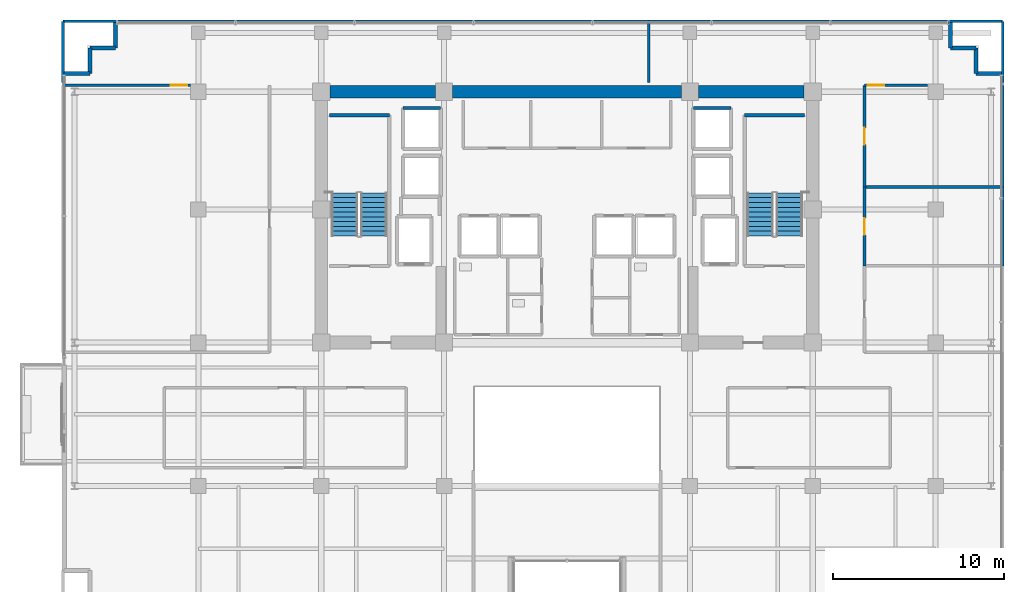
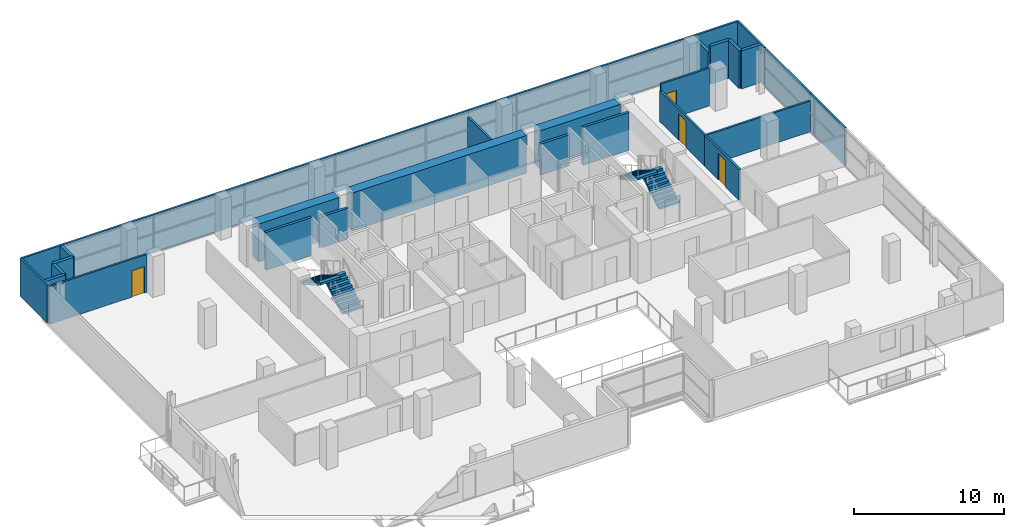
# One storey, part 23 of 27: 27 walls, 4 doors, 4 stair flights, 4 openings, 2 elements without a shape of their own.
"""IFC4 building model written with IfcOpenShell, lengths in metres."""

import ifcopenshell
import ifcopenshell.guid

model = None  # the IFC model being written
_history = None  # IfcOwnerHistory: only IFC2X3 demands one
_inside = {}  # id of a spatial element -> (the spatial element, [elements in it])
_under = {}  # id of a project, library or spatial element -> (it, [spatial elements below it])
_declared = {}  # id of a project -> (the project, [libraries it declares])
_typed = {}  # id of a type object -> (the type object, [elements of that type])
_made_of = {}  # id of a material, layer set ... -> (it, [elements and type objects made of it])


def new_model(schema):
    """Start an empty IFC model of exactly this schema.

    Asked for "IFC4X3", IfcOpenShell would pick the latest addendum, in which some entities
    have other attributes; the version numbers below select the first issue.
    IFC2X3 requires an IfcOwnerHistory on every rooted entity: one is made here for all.
    """
    global model, _history
    if schema == "IFC4X3":
        model = ifcopenshell.file(schema_version=(4, 3, 0, 0))
    else:
        model = ifcopenshell.file(schema=schema)
    _inside.clear()
    _under.clear()
    _declared.clear()
    _typed.clear()
    _made_of.clear()
    _history = None
    if model.schema == "IFC2X3":
        org = make("IfcOrganization", Name="unknown")
        user = make(
            "IfcPersonAndOrganization",
            ThePerson=make("IfcPerson", FamilyName="unknown"),
            TheOrganization=org,
        )
        app = make(
            "IfcApplication",
            ApplicationDeveloper=org,
            Version="unknown",
            ApplicationFullName="unknown",
            ApplicationIdentifier="unknown",
        )
        _history = make(
            "IfcOwnerHistory",
            OwningUser=user,
            OwningApplication=app,
            ChangeAction="ADDED",
            CreationDate=0,
        )
    return model


def make(cls, **values):
    """One entity of the class cls with the attributes given. An attribute that is None is left unset."""
    return model.create_entity(
        cls, **{name: value for name, value in values.items() if value is not None}
    )


def rooted(cls, **values):
    """An entity with a GlobalId (a new one), such as an element, a storey or a relation."""
    return make(cls, GlobalId=ifcopenshell.guid.new(), OwnerHistory=_history, **values)


def si_unit(unit_type, name, prefix=None):
    """IfcSIUnit, for example si_unit("LENGTHUNIT", "METRE", prefix="MILLI")."""
    return make("IfcSIUnit", UnitType=unit_type, Prefix=prefix, Name=name)


def assignment(units):
    """IfcUnitAssignment: the units of a project."""
    return None if units is None else make("IfcUnitAssignment", Units=units)


def point(xyz):
    """IfcCartesianPoint."""
    return None if xyz is None else make("IfcCartesianPoint", Coordinates=xyz)


def direction(xyz):
    """IfcDirection."""
    return None if xyz is None else make("IfcDirection", DirectionRatios=xyz)


def frame(location, z_axis=None, x_axis=None):
    """IfcAxis2Placement3D, a coordinate frame: its origin and axes. An axis left out is left unset."""
    return make(
        "IfcAxis2Placement3D",
        Location=point(location),
        Axis=direction(z_axis),
        RefDirection=direction(x_axis),
    )


def frame_2d(location, x_axis=None):
    """IfcAxis2Placement2D, a coordinate frame in the plane: its origin and x axis."""
    return make(
        "IfcAxis2Placement2D", Location=point(location), RefDirection=direction(x_axis)
    )


def origin():
    """The frame at (0, 0, 0) with its axes left unset."""
    return frame((0.0, 0.0, 0.0))


def place(relative_to, where):
    """IfcLocalPlacement: puts the frame where relative to a parent placement (None: the world)."""
    return make(
        "IfcLocalPlacement", PlacementRelTo=relative_to, RelativePlacement=where
    )


def context(
    kind, dimensions, precision=None, world=None, true_north=None, identifier=None
):
    """IfcGeometricRepresentationContext, for example the 3D "Model" context."""
    return make(
        "IfcGeometricRepresentationContext",
        ContextIdentifier=identifier,
        ContextType=kind,
        CoordinateSpaceDimension=dimensions,
        Precision=precision,
        WorldCoordinateSystem=world,
        TrueNorth=true_north,
    )


def subcontext(parent, identifier, kind, view, scale=None):
    """IfcGeometricRepresentationSubContext, for example "Body" below "Model"."""
    return make(
        "IfcGeometricRepresentationSubContext",
        ContextIdentifier=identifier,
        ContextType=kind,
        ParentContext=parent,
        TargetScale=scale,
        TargetView=view,
    )


def project(units=None, contexts=None):
    """IfcProject with its units and contexts."""
    return rooted(
        "IfcProject",
        Name="project",
        RepresentationContexts=contexts,
        UnitsInContext=assignment(units),
    )


def spatial(cls, under=None, at=None, **own):
    """A site, building, storey or space (cls), placed at a placement, below another one or the project."""
    s = rooted(cls, ObjectPlacement=at, **own)
    if under is not None:
        _under.setdefault(under.id(), (under, []))[1].append(s)
    return s


def polyline(points):
    """IfcPolyline through the points."""
    return make("IfcPolyline", Points=[point(p) for p in points])


def profile(cls, at=None, kind="AREA", **sizes):
    """A parametric profile (cls). Its sizes go by their IFC names, for example OverallWidth=200.0."""
    return make(cls, ProfileType=kind, Position=at, **sizes)


def rectangle(**sizes):
    """IfcRectangleProfileDef."""
    return profile("IfcRectangleProfileDef", **sizes)


def outline(outer, holes=None, kind="AREA"):
    """IfcArbitraryClosedProfileDef: a profile drawn as a closed curve; with holes, ...WithVoids."""
    if holes is None:
        return make("IfcArbitraryClosedProfileDef", ProfileType=kind, OuterCurve=outer)
    return make(
        "IfcArbitraryProfileDefWithVoids",
        ProfileType=kind,
        OuterCurve=outer,
        InnerCurves=holes,
    )


def extrude(swept, where, along, depth):
    """IfcExtrudedAreaSolid: the profile swept, set in the frame where, extruded along a direction by depth."""
    return make(
        "IfcExtrudedAreaSolid",
        SweptArea=swept,
        Position=where,
        ExtrudedDirection=direction(along),
        Depth=depth,
    )


def shape(context_of_items, identifier, shape_type, items):
    """IfcShapeRepresentation: the items that make up one representation, for example the "Body"."""
    return make(
        "IfcShapeRepresentation",
        ContextOfItems=context_of_items,
        RepresentationIdentifier=identifier,
        RepresentationType=shape_type,
        Items=items,
    )


def source(mapping_origin, context_of_items, identifier, shape_type, items):
    """IfcRepresentationMap: a shape defined once, which mapped items show again and again."""
    return make(
        "IfcRepresentationMap",
        MappingOrigin=mapping_origin,
        MappedRepresentation=shape(context_of_items, identifier, shape_type, items),
    )


def transform(
    local_origin,
    x_axis=None,
    y_axis=None,
    z_axis=None,
    scale=None,
    scale2=None,
    scale3=None,
    uniform=True,
):
    """IfcCartesianTransformationOperator3D, or its non-uniform kind. x_axis, y_axis, z_axis: its Axis1, 2, 3."""
    if uniform:
        return make(
            "IfcCartesianTransformationOperator3D",
            Axis1=direction(x_axis),
            Axis2=direction(y_axis),
            LocalOrigin=point(local_origin),
            Scale=scale,
            Axis3=direction(z_axis),
        )
    return make(
        "IfcCartesianTransformationOperator3DnonUniform",
        Axis1=direction(x_axis),
        Axis2=direction(y_axis),
        LocalOrigin=point(local_origin),
        Scale=scale,
        Axis3=direction(z_axis),
        Scale2=scale2,
        Scale3=scale3,
    )


def mapped(mapping_source, mapping_target):
    """IfcMappedItem: shows the shape of a source again, moved by a transform."""
    return make(
        "IfcMappedItem", MappingSource=mapping_source, MappingTarget=mapping_target
    )


def material(Name=None, Category=None):
    """IfcMaterial."""
    return make("IfcMaterial", Name=Name, Category=Category)


def layer(
    of_material, thickness, ventilated=None, Name=None, Category=None, Priority=None
):
    """IfcMaterialLayer: one layer of a wall or slab, of a material (None: an air gap)."""
    return make(
        "IfcMaterialLayer",
        Material=of_material,
        LayerThickness=thickness,
        IsVentilated=ventilated,
        Name=Name,
        Category=Category,
        Priority=Priority,
    )


def layer_set(layers, Name=None):
    """IfcMaterialLayerSet."""
    return make("IfcMaterialLayerSet", MaterialLayers=layers, LayerSetName=Name)


def made_of(thing, what):
    """Note that an element or type object is made of a material, layer set ...; save() writes the relation."""
    if what is not None:
        _made_of.setdefault(what.id(), (what, []))[1].append(thing)
    return thing


def type_object(cls, material=None, **own):
    """A type object (cls), such as IfcWallType, which elements share."""
    return made_of(rooted(cls, **own), material)


def element(
    cls,
    number,
    at=None,
    inside=None,
    cuts=None,
    type_object=None,
    material=None,
    context=None,
    identifier="Body",
    shape_type=None,
    held_by="IfcProductDefinitionShape",
    body=None,
    shapes=None,
    **own,
):
    """One element of the class cls, such as IfcWall. Its Tag is "e" and its number.

    at: its placement. inside: the storey or other place that contains it. cuts: it is an
    opening in that element (IfcRelVoidsElement). A single representation is given by context,
    identifier, shape_type and body (its items); several are given by shapes. held_by: the class
    of the entity that holds the representations. save() writes the other relations.
    """
    e = rooted(cls, Tag="e%d" % number, ObjectPlacement=at, **own)
    if body is not None:
        shapes = [shape(context, identifier, shape_type, body)]
    if shapes is not None:
        e.Representation = make(held_by, Representations=shapes)
    if inside is not None:
        _inside.setdefault(inside.id(), (inside, []))[1].append(e)
    if cuts is not None:
        rooted(
            "IfcRelVoidsElement", RelatingBuildingElement=cuts, RelatedOpeningElement=e
        )
    if type_object is not None:
        _typed.setdefault(type_object.id(), (type_object, []))[1].append(e)
    return made_of(e, material)


def fill(opening, filler):
    """IfcRelFillsElement: the door or window that sits in an opening."""
    return rooted(
        "IfcRelFillsElement",
        RelatingOpeningElement=opening,
        RelatedBuildingElement=filler,
    )


def aggregate(whole, parts):
    """IfcRelAggregates: a whole, such as a stair, and the parts it consists of."""
    return rooted("IfcRelAggregates", RelatingObject=whole, RelatedObjects=parts)


def save(model, path):
    """Write the relations noted so far, then the file.

    IfcRelAggregates (storeys below a building ...), IfcRelContainedInSpatialStructure (elements
    in a storey), IfcRelDefinesByType, IfcRelAssociatesMaterial and IfcRelDeclares: one each for
    every whole, place, type object, material and project.
    """
    for whole, parts in _under.values():
        aggregate(whole, parts)
    for where, things in _inside.values():
        rooted(
            "IfcRelContainedInSpatialStructure",
            RelatedElements=things,
            RelatingStructure=where,
        )
    for kind, things in _typed.values():
        rooted("IfcRelDefinesByType", RelatedObjects=things, RelatingType=kind)
    for what, things in _made_of.values():
        rooted("IfcRelAssociatesMaterial", RelatedObjects=things, RelatingMaterial=what)
    for by, libraries in _declared.values():
        rooted("IfcRelDeclares", RelatingContext=by, RelatedDefinitions=libraries)
    model.write(path)


model = new_model("IFC4")

# Units and contexts
model_context = context("Model", 3, precision=1e-05, world=origin(), true_north=direction((0.0, 1.0)))
body_context = subcontext(model_context, "Body", "Model", "MODEL_VIEW")
ifc_project = project(units=[si_unit("LENGTHUNIT", "METRE"), si_unit("AREAUNIT", "SQUARE_METRE"), si_unit("VOLUMEUNIT", "CUBIC_METRE"), si_unit("PLANEANGLEUNIT", "RADIAN"), si_unit("MASSUNIT", "GRAM", prefix="KILO")], contexts=[model_context])

# Site, building, storey
site_placement = place(None, origin())
site = spatial("IfcSite", under=ifc_project, at=site_placement, CompositionType="ELEMENT")
building_placement = place(site_placement, origin())
building = spatial("IfcBuilding", under=site, at=building_placement, Name="Zarnakvel Exchange Tower", CompositionType="ELEMENT")
storey_placement = place(building_placement, frame((0.0, 0.0, 96.699951171875)))
storey = spatial("IfcBuildingStorey", under=building, at=storey_placement, Name="L26", CompositionType="ELEMENT", Elevation=96.699951171875)

# Walls
ifc_material_1 = material(Name="Concrete C60/75", Category="concrete")
ifc_layer_1 = layer(ifc_material_1, 0.75)
ifc_layer_set_1 = layer_set([ifc_layer_1], Name="Concrete C60/75")
wall_type_1 = type_object("IfcWallType", Name="CW-C3", PredefinedType="SHEAR", material=ifc_layer_set_1)
wall_1_placement = place(storey_placement, frame((-13.89990234375, 13.5, 0.0), z_axis=(0.0, 0.0, 1.0), x_axis=(1.0, 0.0, 0.0)))
element("IfcWall", 1, at=wall_1_placement, inside=storey, type_object=wall_type_1, Name="L26 Rear Core Shear Wall N1 (CW-C3)", PredefinedType="SHEAR", context=body_context, shape_type="SweptSolid", body=[
    extrude(rectangle(XDim=6.199951171875, YDim=0.75, at=frame_2d((3.10009765625, 0.0))), origin(), (0.0, 0.0, 1.0), 3.074951171875),
])
wall_2_placement = place(storey_placement, frame((-6.699951171875, 13.5, 0.0), z_axis=(0.0, 0.0, 1.0), x_axis=(1.0, 0.0, 0.0)))
element("IfcWall", 2, at=wall_2_placement, inside=storey, type_object=wall_type_1, Name="L26 Rear Core Shear Wall N2 (CW-C3)", PredefinedType="SHEAR", context=body_context, shape_type="SweptSolid", body=[
    extrude(rectangle(XDim=13.39990234375, YDim=0.75, at=frame_2d((6.699951171875, 0.0))), origin(), (0.0, 0.0, 1.0), 3.074951171875),
])
wall_3_placement = place(storey_placement, frame((7.699951171875, 13.5, 0.0), z_axis=(0.0, 0.0, 1.0), x_axis=(1.0, 0.0, 0.0)))
element("IfcWall", 3, at=wall_3_placement, inside=storey, type_object=wall_type_1, Name="L26 Rear Core Shear Wall N3 (CW-C3)", PredefinedType="SHEAR", context=body_context, shape_type="SweptSolid", body=[
    extrude(rectangle(XDim=6.199951171875, YDim=0.75, at=frame_2d((3.10009765625, 0.0))), origin(), (0.0, 0.0, 1.0), 3.074951171875),
])
ifc_material_2 = material(Name="Precast concrete C40/50", Category="concrete")
ifc_layer_2 = layer(ifc_material_2, 0.239990234375)
ifc_layer_set_2 = layer_set([ifc_layer_2], Name="Precast concrete C40/50")
wall_type_2 = type_object("IfcWallType", Name="EW-02", PredefinedType="SOLIDWALL", material=ifc_layer_set_2)
for number, where, z_axis, x_axis, name in (
    (4, (-27.9599609375, 14.56005859375, 0.0), (0.0, 0.0, 1.0), (-1.0, 0.0, 0.0), "L26 Exterior Precast Spandrel Wall EWC-L26-03 (EW-02)"),
    (5, (-27.9599609375, 16.06005859375, 0.0), (0.0, 0.0, 1.0), (0.0, -1.0, 0.0), "L26 Exterior Precast Spandrel Wall EWC-L26-04 (EW-02)"),
    (6, (-26.4599609375, 16.06005859375, 0.0), (0.0, 0.0, 1.0), (-1.0, 0.0, 0.0), "L26 Exterior Precast Spandrel Wall EWC-L26-05 (EW-02)"),
    (7, (-26.4599609375, 17.56005859375, 0.0), (0.0, 0.0, 1.0), (0.0, -1.0, 0.0), "L26 Exterior Precast Spandrel Wall EWC-L26-06 (EW-02)"),
):
    element("IfcWall", number, at=place(storey_placement, frame(where, z_axis=z_axis, x_axis=x_axis)), inside=storey, type_object=wall_type_2, Name=name, PredefinedType="SOLIDWALL", context=body_context, shape_type="SweptSolid", body=[
        extrude(rectangle(XDim=1.5, YDim=0.239990234375, at=frame_2d((0.75, 0.0))), origin(), (0.0, 0.0, 1.0), 3.074951171875),
    ])
wall_4_placement = place(storey_placement, frame((22.4599609375, 16.06005859375, 0.0), z_axis=(0.0, 0.0, 1.0), x_axis=(0.0, 1.0, 0.0)))
element("IfcWall", 8, at=wall_4_placement, inside=storey, type_object=wall_type_2, Name="L26 Exterior Precast Spandrel Wall EWC-L26-07 (EW-02)", PredefinedType="SOLIDWALL", context=body_context, shape_type="SweptSolid", body=[
    extrude(rectangle(XDim=1.5, YDim=0.239990234375, at=frame_2d((0.75, 0.0))), origin(), (0.0, 0.0, 1.0), 2.56494140625),
])
for number, where, z_axis, x_axis, name in (
    (9, (23.9599609375, 16.06005859375, 0.0), (0.0, 0.0, 1.0), (-1.0, 0.0, 0.0), "L26 Exterior Precast Spandrel Wall EWC-L26-08 (EW-02)"),
    (10, (23.9599609375, 14.56005859375, 0.0), (0.0, 0.0, 1.0), (0.0, 1.0, 0.0), "L26 Exterior Precast Spandrel Wall EWC-L26-09 (EW-02)"),
    (11, (25.4599609375, 14.56005859375, 0.0), (0.0, 0.0, 1.0), (-1.0, 0.0, 0.0), "L26 Exterior Precast Spandrel Wall EWC-L26-10 (EW-02)"),
):
    element("IfcWall", number, at=place(storey_placement, frame(where, z_axis=z_axis, x_axis=x_axis)), inside=storey, type_object=wall_type_2, Name=name, PredefinedType="SOLIDWALL", context=body_context, shape_type="SweptSolid", body=[
        extrude(rectangle(XDim=1.5, YDim=0.239990234375, at=frame_2d((0.75, 0.0))), origin(), (0.0, 0.0, 1.0), 3.074951171875),
    ])

# Wall, opening, door
ifc_material_3 = material(Name="Fire-Rated Gypsum Stud Partition", Category="gypsum")
ifc_layer_3 = layer(ifc_material_3, 0.14990234375)
ifc_layer_set_3 = layer_set([ifc_layer_3], Name="Fire-Rated Gypsum Stud Partition")
wall_type_3 = type_object("IfcWallType", Name="PT-01", PredefinedType="PARTITIONING", material=ifc_layer_set_3)
wall_5_placement = place(storey_placement, frame((-29.530029296875, 13.8798828125, 0.0), z_axis=(0.0, 0.0, 1.0), x_axis=(1.0, 0.0, 0.0)))
wall_5 = element("IfcWall", 12, at=wall_5_placement, inside=storey, type_object=wall_type_3, Name="L26 Partition Wall PWALL-L26-051 (PT-01)", PredefinedType="PARTITIONING", context=body_context, shape_type="SweptSolid", body=[
    extrude(rectangle(XDim=7.4599609375, YDim=0.14990234375, at=frame_2d((3.72998046875, 0.0))), origin(), (0.0, 0.0, 1.0), 3.074951171875),
])
opening_1_placement = place(wall_5_placement, frame((6.300048828125, 0.0, 0.0)))
opening_1 = element("IfcOpeningElement", 13, at=opening_1_placement, cuts=wall_5, Name="Opening D-L26-23", PredefinedType="OPENING", context=body_context, shape_type="SweptSolid", body=[
    extrude(rectangle(XDim=0.97998046875, YDim=2.14990234375, at=frame_2d((0.489990234375, 1.074951171875))), frame((0.0, 0.0849609375, 0.0), z_axis=(0.0, -1.0, 0.0), x_axis=(1.0, 0.0, 0.0)), (0.0, 0.0, 1.0), 0.169921875),
])
ifc_material_4 = material(Name="Timber Acoustic Veneer", Category="wood")
door_type = type_object("IfcDoorType", Name="DT-05", OperationType="NOTDEFINED", PredefinedType="DOOR", material=ifc_material_4)
shared_shape = source(origin(), body_context, "Body", "SweptSolid", [
    extrude(rectangle(XDim=0.97998046875, YDim=2.14990234375, at=frame_2d((0.489990234375, 1.074951171875))), frame((0.0, 0.02490234375, 0.0), z_axis=(0.0, -1.0, 0.0), x_axis=(1.0, 0.0, 0.0)), (0.0, 0.0, 1.0), 0.050048828125),
])
door_1_placement = place(opening_1_placement, origin())
door_1 = element("IfcDoor", 14, at=door_1_placement, inside=storey, type_object=door_type, Name="L26 Settlement Office Door D-L26-23", OperationType="SINGLE_SWING_RIGHT", OverallHeight=2.14990234375, OverallWidth=0.97998046875, PredefinedType="DOOR", context=body_context, shape_type="MappedRepresentation", body=[
    mapped(shared_shape, transform((0.0, 0.0, 0.0), x_axis=(1.0, 0.0, 0.0), y_axis=(0.0, 1.0, 0.0), z_axis=(0.0, 0.0, 1.0), scale=1.0)),
])
fill(opening_1, door_1)

# Wall
wall_6_placement = place(storey_placement, frame((17.429931640625, 7.919677734375, 0.0), z_axis=(0.0, 0.0, 1.0), x_axis=(1.0, 0.0, 0.0)))
element("IfcWall", 15, at=wall_6_placement, inside=storey, type_object=wall_type_3, Name="L26 Partition Wall PWALL-L26-058 (PT-01)", PredefinedType="PARTITIONING", context=body_context, shape_type="SweptSolid", body=[
    extrude(rectangle(XDim=8.10009765625, YDim=0.14990234375, at=frame_2d((4.050048828125, 0.0))), origin(), (0.0, 0.0, 1.0), 2.51513671875),
])

# Wall, opening, door
wall_7_placement = place(storey_placement, frame((17.429931640625, 3.2978515625, 0.0), z_axis=(0.0, 0.0, 1.0), x_axis=(0.0, 1.0, 0.0)))
wall_7 = element("IfcWall", 16, at=wall_7_placement, inside=storey, type_object=wall_type_3, Name="L26 Partition Wall PWALL-L26-059 (PT-01)", PredefinedType="PARTITIONING", context=body_context, shape_type="SweptSolid", body=[
    extrude(rectangle(XDim=4.621826171875, YDim=0.14990234375, at=frame_2d((2.31103515625, 0.0))), origin(), (0.0, 0.0, 1.0), 2.51513671875),
])
opening_2_placement = place(wall_7_placement, frame((1.821044921875, 0.0, 0.0)))
opening_2 = element("IfcOpeningElement", 17, at=opening_2_placement, cuts=wall_7, Name="Opening D-L26-21", PredefinedType="OPENING", context=body_context, shape_type="SweptSolid", body=[
    extrude(rectangle(XDim=0.97998046875, YDim=2.14990234375, at=frame_2d((0.489990234375, 1.074951171875))), frame((0.0, 0.0849609375, 0.0), z_axis=(0.0, -1.0, 0.0), x_axis=(1.0, 0.0, 0.0)), (0.0, 0.0, 1.0), 0.169921875),
])
door_2_placement = place(opening_2_placement, origin())
door_2 = element("IfcDoor", 18, at=door_2_placement, inside=storey, type_object=door_type, Name="L26 Settlement Office Door D-L26-21", OperationType="SINGLE_SWING_RIGHT", OverallHeight=2.14990234375, OverallWidth=0.97998046875, PredefinedType="DOOR", context=body_context, shape_type="MappedRepresentation", body=[
    mapped(shared_shape, transform((0.0, 0.0, 0.0), x_axis=(1.0, 0.0, 0.0), y_axis=(0.0, 1.0, 0.0), z_axis=(0.0, 0.0, 1.0), scale=1.0)),
])
fill(opening_2, door_2)

# Wall
wall_8_placement = place(storey_placement, frame((25.530029296875, 7.919677734375, 0.0), z_axis=(0.0, 0.0, 1.0), x_axis=(0.0, -1.0, 0.0)))
element("IfcWall", 19, at=wall_8_placement, inside=storey, type_object=wall_type_3, Name="L26 Partition Wall PWALL-L26-060 (PT-01)", PredefinedType="PARTITIONING", context=body_context, shape_type="SweptSolid", body=[
    extrude(rectangle(XDim=4.621826171875, YDim=0.14990234375, at=frame_2d((2.31103515625, 0.0))), origin(), (0.0, 0.0, 1.0), 3.074951171875),
])

# Wall, opening, door
wall_9_placement = place(storey_placement, frame((17.429931640625, 13.8798828125, 0.0), z_axis=(0.0, 0.0, 1.0), x_axis=(1.0, 0.0, 0.0)))
wall_9 = element("IfcWall", 20, at=wall_9_placement, inside=storey, type_object=wall_type_3, Name="L26 Partition Wall PWALL-L26-061 (PT-01)", PredefinedType="PARTITIONING", context=body_context, shape_type="SweptSolid", body=[
    extrude(rectangle(XDim=3.699951171875, YDim=0.14990234375, at=frame_2d((1.85009765625, 0.0))), origin(), (0.0, 0.0, 1.0), 3.074951171875),
])
opening_3_placement = place(wall_9_placement, frame((0.179931640625, 0.0, 0.0)))
opening_3 = element("IfcOpeningElement", 21, at=opening_3_placement, cuts=wall_9, Name="Opening D-L26-24", PredefinedType="OPENING", context=body_context, shape_type="SweptSolid", body=[
    extrude(rectangle(XDim=0.97998046875, YDim=2.14990234375, at=frame_2d((0.489990234375, 1.074951171875))), frame((0.0, 0.0849609375, 0.0), z_axis=(0.0, -1.0, 0.0), x_axis=(1.0, 0.0, 0.0)), (0.0, 0.0, 1.0), 0.169921875),
])
door_3_placement = place(opening_3_placement, origin())
door_3 = element("IfcDoor", 22, at=door_3_placement, inside=storey, type_object=door_type, Name="L26 Reception Lounge Door D-L26-24", OperationType="SINGLE_SWING_LEFT", OverallHeight=2.14990234375, OverallWidth=0.97998046875, PredefinedType="DOOR", context=body_context, shape_type="MappedRepresentation", body=[
    mapped(shared_shape, transform((0.0, 0.0, 0.0), x_axis=(1.0, 0.0, 0.0), y_axis=(0.0, 1.0, 0.0), z_axis=(0.0, 0.0, 1.0), scale=1.0)),
])
fill(opening_3, door_3)

wall_10_placement = place(storey_placement, frame((17.429931640625, 7.919677734375, 0.0), z_axis=(0.0, 0.0, 1.0), x_axis=(0.0, 1.0, 0.0)))
wall_10 = element("IfcWall", 23, at=wall_10_placement, inside=storey, type_object=wall_type_3, Name="L26 Partition Wall PWALL-L26-062 (PT-01)", PredefinedType="PARTITIONING", context=body_context, shape_type="SweptSolid", body=[
    extrude(rectangle(XDim=5.960205078125, YDim=0.14990234375, at=frame_2d((2.97998046875, 0.0))), origin(), (0.0, 0.0, 1.0), 2.51513671875),
])
opening_4_placement = place(wall_10_placement, frame((2.490234375, 0.0, 0.0)))
opening_4 = element("IfcOpeningElement", 24, at=opening_4_placement, cuts=wall_10, Name="Opening D-L26-22", PredefinedType="OPENING", context=body_context, shape_type="SweptSolid", body=[
    extrude(rectangle(XDim=0.97998046875, YDim=2.14990234375, at=frame_2d((0.489990234375, 1.074951171875))), frame((0.0, 0.0849609375, 0.0), z_axis=(0.0, -1.0, 0.0), x_axis=(1.0, 0.0, 0.0)), (0.0, 0.0, 1.0), 0.169921875),
])
door_4_placement = place(opening_4_placement, origin())
door_4 = element("IfcDoor", 25, at=door_4_placement, inside=storey, type_object=door_type, Name="L26 Reception Lounge Door D-L26-22", OperationType="SINGLE_SWING_LEFT", OverallHeight=2.14990234375, OverallWidth=0.97998046875, PredefinedType="DOOR", context=body_context, shape_type="MappedRepresentation", body=[
    mapped(shared_shape, transform((0.0, 0.0, 0.0), x_axis=(1.0, 0.0, 0.0), y_axis=(0.0, 1.0, 0.0), z_axis=(0.0, 0.0, 1.0), scale=1.0)),
])
fill(opening_4, door_4)

# Walls
wall_11_placement = place(storey_placement, frame((25.530029296875, 13.8798828125, 0.0), z_axis=(0.0, 0.0, 1.0), x_axis=(0.0, -1.0, 0.0)))
element("IfcWall", 26, at=wall_11_placement, inside=storey, type_object=wall_type_3, Name="L26 Partition Wall PWALL-L26-063 (PT-01)", PredefinedType="PARTITIONING", context=body_context, shape_type="SweptSolid", body=[
    extrude(rectangle(XDim=5.960205078125, YDim=0.14990234375, at=frame_2d((2.97998046875, 0.0))), origin(), (0.0, 0.0, 1.0), 3.074951171875),
])
wall_12_placement = place(storey_placement, frame((-29.530029296875, 17.6298828125, 0.0), z_axis=(0.0, 0.0, 1.0), x_axis=(1.0, 0.0, 0.0)))
element("IfcWall", 27, at=wall_12_placement, inside=storey, type_object=wall_type_3, Name="L26 Partition Wall PWALL-L26-064 (PT-01)", PredefinedType="PARTITIONING", context=body_context, shape_type="SweptSolid", body=[
    extrude(rectangle(XDim=34.330078125, YDim=0.14990234375, at=frame_2d((17.1650390625, 0.0))), origin(), (0.0, 0.0, 1.0), 3.074951171875),
])
wall_13_placement = place(storey_placement, frame((-29.530029296875, 14.030029296875, 0.0), z_axis=(0.0, 0.0, 1.0), x_axis=(0.0, 1.0, 0.0)))
element("IfcWall", 28, at=wall_13_placement, inside=storey, type_object=wall_type_3, Name="L26 Partition Wall PWALL-L26-065 (PT-01)", PredefinedType="PARTITIONING", context=body_context, shape_type="SweptSolid", body=[
    extrude(rectangle(XDim=3.599853515625, YDim=0.14990234375, at=frame_2d((1.7998046875, 0.0))), origin(), (0.0, 0.0, 1.0), 3.074951171875),
])
wall_14_placement = place(storey_placement, frame((4.800048828125, 17.6298828125, 0.0), z_axis=(0.0, 0.0, 1.0), x_axis=(0.0, -1.0, 0.0)))
element("IfcWall", 29, at=wall_14_placement, inside=storey, type_object=wall_type_3, Name="L26 Partition Wall PWALL-L26-066 (PT-01)", PredefinedType="PARTITIONING", context=body_context, shape_type="SweptSolid", body=[
    extrude(rectangle(XDim=3.599853515625, YDim=0.14990234375, at=frame_2d((1.7998046875, 0.0))), origin(), (0.0, 0.0, 1.0), 2.56494140625),
])
wall_15_placement = place(storey_placement, frame((4.800048828125, 17.6298828125, 0.0), z_axis=(0.0, 0.0, 1.0), x_axis=(1.0, 0.0, 0.0)))
element("IfcWall", 30, at=wall_15_placement, inside=storey, type_object=wall_type_3, Name="L26 Partition Wall PWALL-L26-067 (PT-01)", PredefinedType="PARTITIONING", context=body_context, shape_type="SweptSolid", body=[
    extrude(rectangle(XDim=20.72998046875, YDim=0.14990234375, at=frame_2d((10.364990234375, 0.0))), origin(), (0.0, 0.0, 1.0), 3.074951171875),
])
wall_16_placement = place(storey_placement, frame((25.530029296875, 17.6298828125, 0.0), z_axis=(0.0, 0.0, 1.0), x_axis=(0.0, -1.0, 0.0)))
element("IfcWall", 31, at=wall_16_placement, inside=storey, type_object=wall_type_3, Name="L26 Partition Wall PWALL-L26-068 (PT-01)", PredefinedType="PARTITIONING", context=body_context, shape_type="SweptSolid", body=[
    extrude(rectangle(XDim=3.599853515625, YDim=0.14990234375, at=frame_2d((1.7998046875, 0.0))), origin(), (0.0, 0.0, 1.0), 3.074951171875),
])
ifc_material_5 = material(Name="Concrete C40/50", Category="concrete")
ifc_layer_4 = layer(ifc_material_5, 0.199951171875)
ifc_layer_set_4 = layer_set([ifc_layer_4], Name="Concrete C40/50")
wall_type_4 = type_object("IfcWallType", Name="SW-01", PredefinedType="SOLIDWALL", material=ifc_layer_set_4)
for number, where, z_axis, x_axis, name in (
    (32, (-9.60009765625, 12.550048828125, 0.0), (0.0, 0.0, 1.0), (1.0, 0.0, 0.0), "L26 PL-10 Hoistway Wall North"),
    (33, (7.39990234375, 12.550048828125, 0.0), (0.0, 0.0, 1.0), (1.0, 0.0, 0.0), "L26 PL-12 Hoistway Wall North"),
):
    element("IfcWall", number, at=place(storey_placement, frame(where, z_axis=z_axis, x_axis=x_axis)), inside=storey, type_object=wall_type_4, Name=name, PredefinedType="SOLIDWALL", context=body_context, shape_type="SweptSolid", body=[
        extrude(rectangle(XDim=2.2001953125, YDim=0.199951171875, at=frame_2d((1.10009765625, 0.0))), origin(), (0.0, 0.0, 1.0), 2.51513671875),
    ])
ifc_layer_5 = layer(ifc_material_5, 0.199951171875)
ifc_layer_set_5 = layer_set([ifc_layer_5], Name="Concrete C40/50")
wall_type_5 = type_object("IfcWallType", Name="SW-02", PredefinedType="SOLIDWALL", material=ifc_layer_set_5)
for number, where, z_axis, x_axis, name in (
    (34, (-13.929931640625, 12.1298828125, 0.0), (0.0, 0.0, 1.0), (1.0, 0.0, 0.0), "L26 Stairwell Core Wall PWALL-L26-002 (SW-02)"),
    (35, (10.409912109375, 12.1298828125, 0.0), (0.0, 0.0, 1.0), (1.0, 0.0, 0.0), "L26 Stairwell Core Wall PWALL-L26-005 (SW-02)"),
):
    element("IfcWall", number, at=place(storey_placement, frame(where, z_axis=z_axis, x_axis=x_axis)), inside=storey, type_object=wall_type_5, Name=name, PredefinedType="SOLIDWALL", context=body_context, shape_type="SweptSolid", body=[
        extrude(rectangle(XDim=3.52001953125, YDim=0.199951171875, at=frame_2d((1.760009765625, 0.0))), origin(), (0.0, 0.0, 1.0), 3.074951171875),
    ])

# Stair, stair flights
stair_type = type_object("IfcStairType", Name="STR-01", PredefinedType="HALF_TURN_STAIR", material=ifc_material_5)
stair_1_placement = place(storey_placement, origin())
stair_1 = element("IfcStair", 36, at=stair_1_placement, inside=storey, type_object=stair_type, Name="L26 Protected Core Exit Stair ST-01", PredefinedType="HALF_TURN_STAIR")
stair_flight_type = type_object("IfcStairFlightType", Name="FLT-01", PredefinedType="STRAIGHT", material=ifc_material_5)
stair_flight_1_placement = place(storey_placement, frame((-11.31494140625, 5.050048828125, 0.0), z_axis=(0.0, 0.0, 1.0), x_axis=(0.0, 1.0, 0.0)))
stair_flight_1 = element("IfcStairFlight", 37, at=stair_flight_1_placement, type_object=stair_flight_type, Name="ST-01 flight 1", NumberOfRisers=10, NumberOfTreads=9, PredefinedType="STRAIGHT", RiserHeight=0.165, TreadLength=0.28, context=body_context, shape_type="SweptSolid", body=[
    extrude(outline(polyline([(0.0, 0.0), (0.0, 0.1650390625), (0.280029296875, 0.1650390625), (0.280029296875, 0.330078125), (0.56005859375, 0.330078125), (0.56005859375, 0.4951171875), (0.840087890625, 0.4951171875), (0.840087890625, 0.659912109375), (1.1201171875, 0.659912109375), (1.1201171875, 0.824951171875), (1.39990234375, 0.824951171875), (1.39990234375, 0.989990234375), (1.679931640625, 0.989990234375), (1.679931640625, 1.155029296875), (1.9599609375, 1.155029296875), (1.9599609375, 1.320068359375), (2.239990234375, 1.320068359375), (2.239990234375, 1.485107421875), (2.52001953125, 1.485107421875), (2.52001953125, 1.64990234375), (2.52001953125, 1.31103515625), (0.295166015625, 0.0), (0.0, 0.0)])), frame((0.0, 0.77490234375, 0.0), z_axis=(0.0, -1.0, 0.0), x_axis=(1.0, 0.0, 0.0)), (0.0, 0.0, 1.0), 1.550048828125),
])
stair_flight_2_placement = place(storey_placement, frame((-13.02490234375, 7.570068359375, 1.650146484375), z_axis=(0.0, 0.0, 1.0), x_axis=(0.0, -1.0, 0.0)))
stair_flight_2 = element("IfcStairFlight", 38, at=stair_flight_2_placement, type_object=stair_flight_type, Name="ST-01 flight 2", NumberOfRisers=10, NumberOfTreads=9, PredefinedType="STRAIGHT", RiserHeight=0.165, TreadLength=0.28, context=body_context, shape_type="SweptSolid", body=[
    extrude(outline(polyline([(0.0, 0.0), (0.0, 0.1650390625), (0.280029296875, 0.1650390625), (0.280029296875, 0.330078125), (0.56005859375, 0.330078125), (0.56005859375, 0.4951171875), (0.840087890625, 0.4951171875), (0.840087890625, 0.659912109375), (1.1201171875, 0.659912109375), (1.1201171875, 0.824951171875), (1.39990234375, 0.824951171875), (1.39990234375, 0.989990234375), (1.679931640625, 0.989990234375), (1.679931640625, 1.155029296875), (1.9599609375, 1.155029296875), (1.9599609375, 1.320068359375), (2.239990234375, 1.320068359375), (2.239990234375, 1.485107421875), (2.52001953125, 1.485107421875), (2.52001953125, 1.64990234375), (2.52001953125, 1.31103515625), (0.295166015625, 0.0), (0.0, 0.0)])), frame((0.0, 0.77490234375, 0.0), z_axis=(0.0, -1.0, 0.0), x_axis=(1.0, 0.0, 0.0)), (0.0, 0.0, 1.0), 1.550048828125),
])
aggregate(stair_1, [stair_flight_1, stair_flight_2])

stair_2_placement = place(storey_placement, origin())
stair_2 = element("IfcStair", 39, at=stair_2_placement, inside=storey, type_object=stair_type, Name="L26 Protected Core Exit Stair ST-02", PredefinedType="HALF_TURN_STAIR")
stair_flight_3_placement = place(storey_placement, frame((13.02490234375, 5.050048828125, 0.0), z_axis=(0.0, 0.0, 1.0), x_axis=(0.0, 1.0, 0.0)))
stair_flight_3 = element("IfcStairFlight", 40, at=stair_flight_3_placement, type_object=stair_flight_type, Name="ST-02 flight 1", NumberOfRisers=10, NumberOfTreads=9, PredefinedType="STRAIGHT", RiserHeight=0.165, TreadLength=0.28, context=body_context, shape_type="SweptSolid", body=[
    extrude(outline(polyline([(0.0, 0.0), (0.0, 0.1650390625), (0.280029296875, 0.1650390625), (0.280029296875, 0.330078125), (0.56005859375, 0.330078125), (0.56005859375, 0.4951171875), (0.840087890625, 0.4951171875), (0.840087890625, 0.659912109375), (1.1201171875, 0.659912109375), (1.1201171875, 0.824951171875), (1.39990234375, 0.824951171875), (1.39990234375, 0.989990234375), (1.679931640625, 0.989990234375), (1.679931640625, 1.155029296875), (1.9599609375, 1.155029296875), (1.9599609375, 1.320068359375), (2.239990234375, 1.320068359375), (2.239990234375, 1.485107421875), (2.52001953125, 1.485107421875), (2.52001953125, 1.64990234375), (2.52001953125, 1.31103515625), (0.295166015625, 0.0), (0.0, 0.0)])), frame((0.0, 0.77490234375, 0.0), z_axis=(0.0, -1.0, 0.0), x_axis=(1.0, 0.0, 0.0)), (0.0, 0.0, 1.0), 1.550048828125),
])
stair_flight_4_placement = place(storey_placement, frame((11.31494140625, 7.570068359375, 1.650146484375), z_axis=(0.0, 0.0, 1.0), x_axis=(0.0, -1.0, 0.0)))
stair_flight_4 = element("IfcStairFlight", 41, at=stair_flight_4_placement, type_object=stair_flight_type, Name="ST-02 flight 2", NumberOfRisers=10, NumberOfTreads=9, PredefinedType="STRAIGHT", RiserHeight=0.165, TreadLength=0.28, context=body_context, shape_type="SweptSolid", body=[
    extrude(outline(polyline([(0.0, 0.0), (0.0, 0.1650390625), (0.280029296875, 0.1650390625), (0.280029296875, 0.330078125), (0.56005859375, 0.330078125), (0.56005859375, 0.4951171875), (0.840087890625, 0.4951171875), (0.840087890625, 0.659912109375), (1.1201171875, 0.659912109375), (1.1201171875, 0.824951171875), (1.39990234375, 0.824951171875), (1.39990234375, 0.989990234375), (1.679931640625, 0.989990234375), (1.679931640625, 1.155029296875), (1.9599609375, 1.155029296875), (1.9599609375, 1.320068359375), (2.239990234375, 1.320068359375), (2.239990234375, 1.485107421875), (2.52001953125, 1.485107421875), (2.52001953125, 1.64990234375), (2.52001953125, 1.31103515625), (0.295166015625, 0.0), (0.0, 0.0)])), frame((0.0, 0.77490234375, 0.0), z_axis=(0.0, -1.0, 0.0), x_axis=(1.0, 0.0, 0.0)), (0.0, 0.0, 1.0), 1.550048828125),
])
aggregate(stair_2, [stair_flight_3, stair_flight_4])

save(model, "model.ifc")
